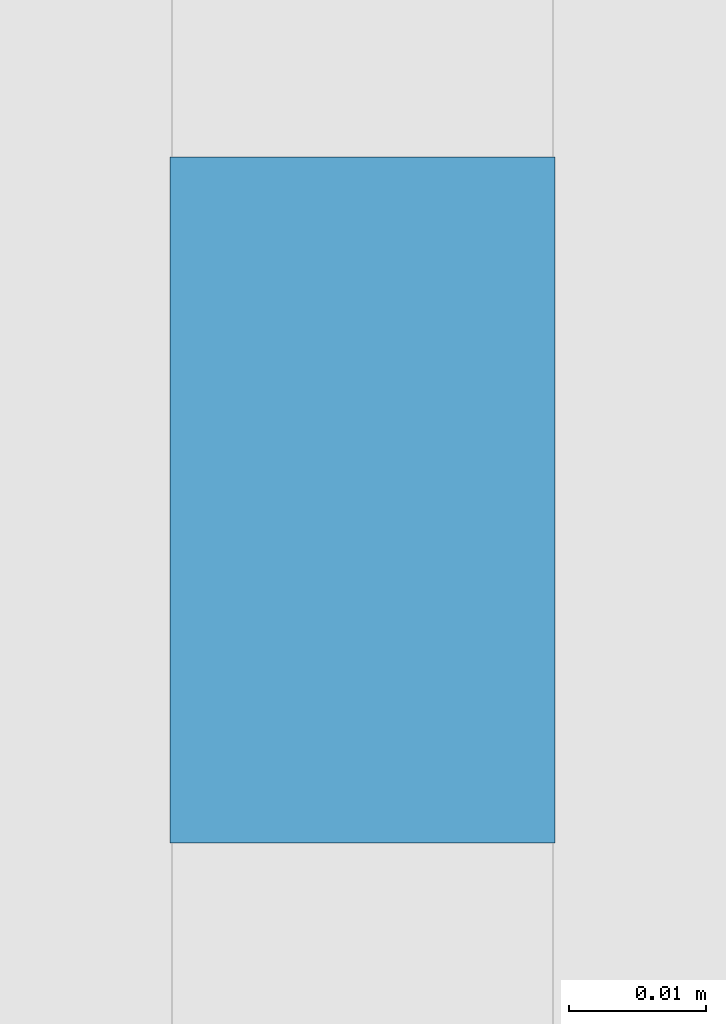
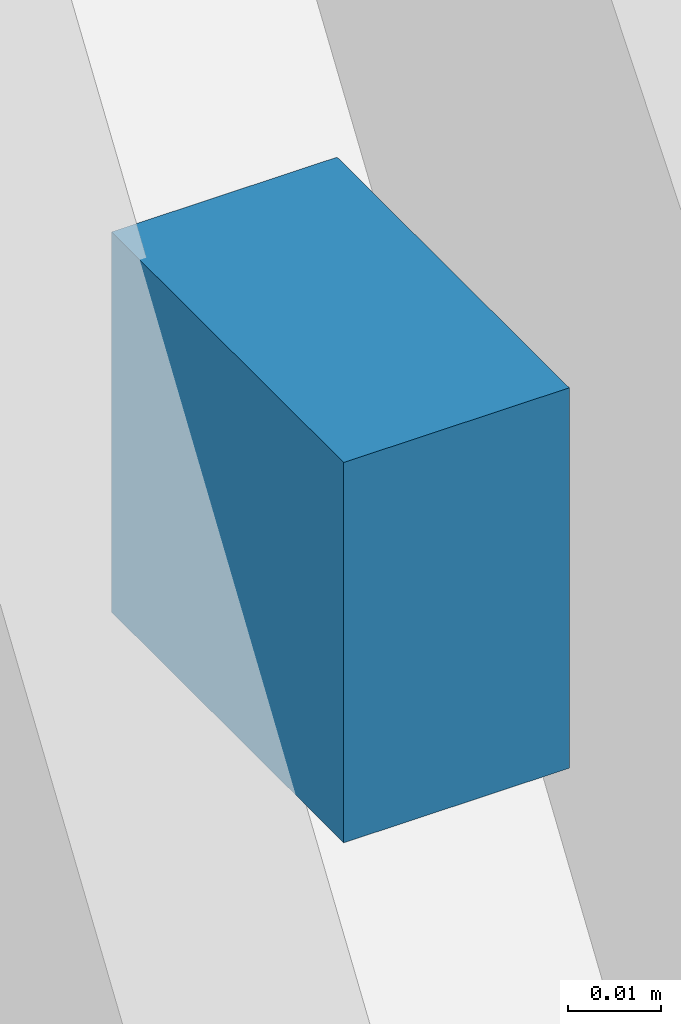
# One storey, part 10 of 16: 1 discrete accessory, 1 element without a shape of its own.
"""IFC4 building model written with IfcOpenShell, lengths in metres."""

from ifc_helpers import new_model, si_unit, direction, frame, origin, origin_2d, place, context, subcontext, project, spatial, rectangle, extrude, material, type_object, element, aggregate, save


model = new_model("IFC4")

# Units and contexts
model_context = context("Model", 3, precision=1e-05, world=origin(), true_north=direction((0.0, 1.0)))
body_context = subcontext(model_context, "Body", "Model", "MODEL_VIEW")
ifc_project = project(units=[si_unit("LENGTHUNIT", "METRE"), si_unit("AREAUNIT", "SQUARE_METRE"), si_unit("VOLUMEUNIT", "CUBIC_METRE"), si_unit("PLANEANGLEUNIT", "RADIAN"), si_unit("MASSUNIT", "GRAM", prefix="KILO")], contexts=[model_context])

# Site, building, storey
site_placement = place(None, origin())
site = spatial("IfcSite", under=ifc_project, at=site_placement, CompositionType="ELEMENT")
building_placement = place(site_placement, origin())
building = spatial("IfcBuilding", under=site, at=building_placement, Name="Tessera Arch", CompositionType="ELEMENT")
storey_placement = place(building_placement, frame((0.0, 0.0, 218.89990234375)))
storey = spatial("IfcBuildingStorey", under=building, at=storey_placement, Name="L52", CompositionType="ELEMENT", Elevation=218.89990234375)

# Curtain wall, discrete accessory
ifc_material = material(Name="CW3 curtain wall")
curtain_wall_type = type_object("IfcCurtainWallType", Name="CW3 curtain wall", PredefinedType="NOTDEFINED", material=ifc_material)
curtain_wall_placement = place(storey_placement, origin())
curtain_wall = element("IfcCurtainWall", 1, at=curtain_wall_placement, inside=storey, type_object=curtain_wall_type, Name="CW3 curtain wall W0.27/1 L52", PredefinedType="NOTDEFINED")
discrete_accessory_placement = place(storey_placement, frame((-0.0439453125, 40.303955078125, 0.2666015625), z_axis=(0.0, 0.0, 1.0), x_axis=(0.0, -1.0, 0.0)))
discrete_accessory = element("IfcDiscreteAccessory", 2, at=discrete_accessory_placement, Name="Glazing bracket", PredefinedType="BRACKET", context=body_context, shape_type="SweptSolid", body=[
    extrude(rectangle(XDim=0.050048828125, YDim=0.028076171875, at=origin_2d()), origin(), (0.0, 0.0, 1.0), 0.050048828125),
])
aggregate(curtain_wall, [discrete_accessory])

save(model, "model.ifc")
